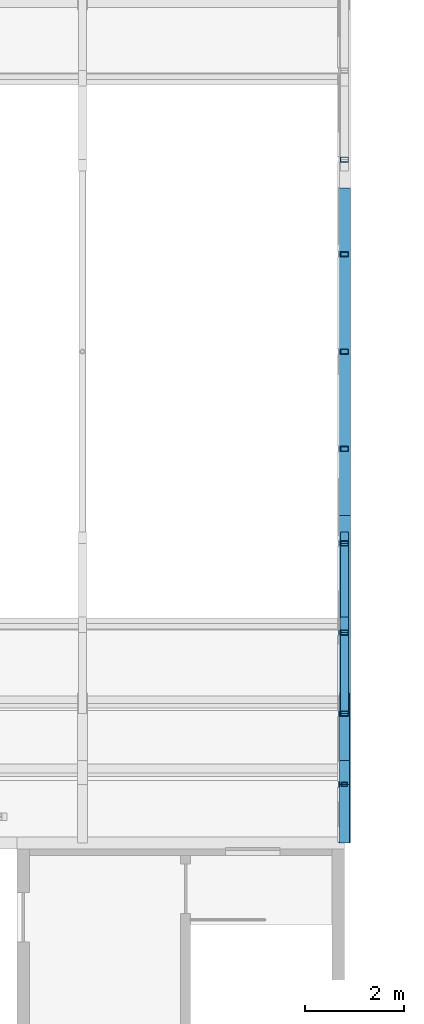
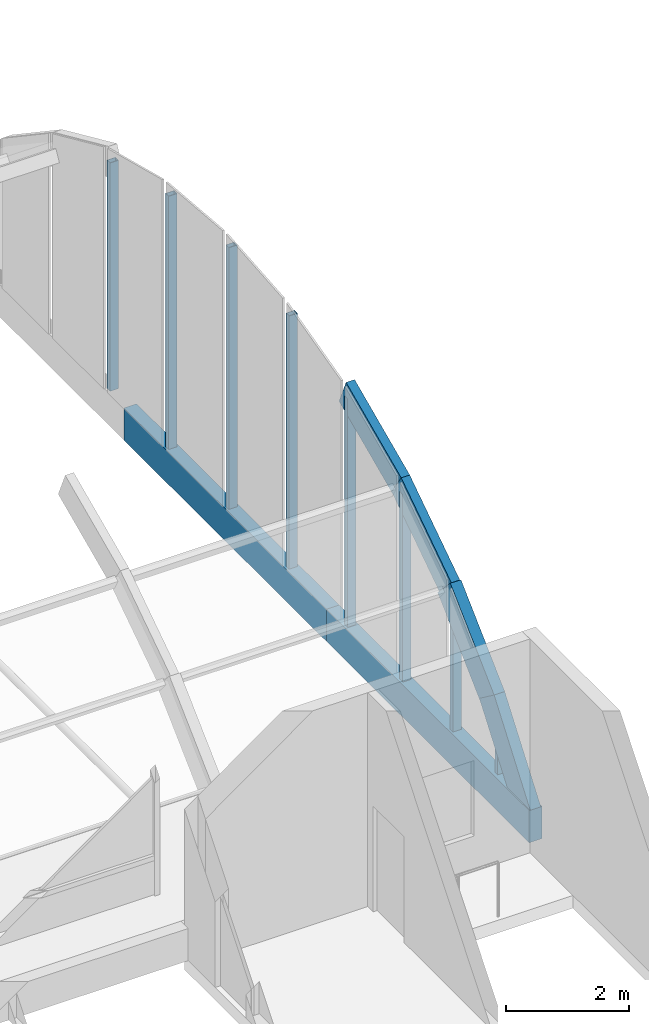
# One storey, part 29 of 102: 12 members, 2 beams.
"""IFC4 building model written with IfcOpenShell, lengths in metres."""

from ifc_helpers import new_model, si_unit, direction, frame, origin, origin_2d, place, context, subcontext, project, spatial, rectangle, hollow_rectangle, extrude, material, material_profile, profile_set, type_object, element, save


model = new_model("IFC4")

# Units and contexts
model_context = context("Model", 3, precision=1e-05, world=origin(), true_north=direction((0.0, 1.0)))
body_context = subcontext(model_context, "Body", "Model", "MODEL_VIEW")
ifc_project = project(units=[si_unit("LENGTHUNIT", "METRE"), si_unit("AREAUNIT", "SQUARE_METRE"), si_unit("VOLUMEUNIT", "CUBIC_METRE"), si_unit("PLANEANGLEUNIT", "RADIAN"), si_unit("MASSUNIT", "GRAM", prefix="KILO")], contexts=[model_context])

# Site, building, storey
site_placement = place(None, origin())
site = spatial("IfcSite", under=ifc_project, at=site_placement, CompositionType="ELEMENT")
building_placement = place(site_placement, origin())
building = spatial("IfcBuilding", under=site, at=building_placement, Name="Lantern Court Research Institute", CompositionType="ELEMENT")
storey_placement = place(building_placement, frame((0.0, 0.0, 9.89990234375)))
storey = spatial("IfcBuildingStorey", under=building, at=storey_placement, Name="L02", CompositionType="ELEMENT", Elevation=9.89990234375)

# Members
ifc_material_1 = material(Name="Structural steel S355", Category="steel")
ifc_material_profile_1 = material_profile(ifc_material_1, hollow_rectangle(XDim=0.1201171875, YDim=0.080078125, WallThickness=0.0048828125, at=origin_2d()), Name="Gable post RHS 120 x 80 x 5")
ifc_profile_set_1 = profile_set([ifc_material_profile_1], Name="Structural steel S355")
member_type_1 = type_object("IfcMemberType", Name="Gable post RHS 120 x 80 x 5", PredefinedType="POST", material=ifc_profile_set_1)
member_1_placement = place(storey_placement, frame((79.199951171875, 57.27734375, 0.64013671875), z_axis=(0.0, 0.0, 1.0), x_axis=(1.0, 0.0, 0.0)))
element("IfcMember", 1, at=member_1_placement, inside=storey, type_object=member_type_1, Name="Gable post", PredefinedType="POST", context=body_context, shape_type="SweptSolid", body=[
    extrude(hollow_rectangle(XDim=0.1201171875, YDim=0.080078125, WallThickness=0.0048828125, at=origin_2d()), origin(), (0.0, 0.0, 1.0), 1.277587890625),
])
ifc_material_2 = material(Name="Structural steel S355", Category="steel")
ifc_material_profile_2 = material_profile(ifc_material_2, hollow_rectangle(XDim=0.159912109375, YDim=0.10009765625, WallThickness=0.00634765625, at=origin_2d()), Name="Gable post RHS 160 x 100 x 6.3")
ifc_profile_set_2 = profile_set([ifc_material_profile_2], Name="Structural steel S355")
member_type_2 = type_object("IfcMemberType", Name="Gable post RHS 160 x 100 x 6.3", PredefinedType="POST", material=ifc_profile_set_2)
member_2_placement = place(storey_placement, frame((79.199951171875, 58.703369140625, 0.64013671875), z_axis=(0.0, 0.0, 1.0), x_axis=(1.0, 0.0, 0.0)))
element("IfcMember", 2, at=member_2_placement, inside=storey, type_object=member_type_2, Name="Gable post", PredefinedType="POST", context=body_context, shape_type="SweptSolid", body=[
    extrude(hollow_rectangle(XDim=0.159912109375, YDim=0.10009765625, WallThickness=0.00634765625, at=origin_2d()), origin(), (0.0, 0.0, 1.0), 2.634765625),
])
member_3_placement = place(storey_placement, frame((79.199951171875, 60.33740234375, 0.64013671875), z_axis=(0.0, 0.0, 1.0), x_axis=(1.0, 0.0, 0.0)))
element("IfcMember", 3, at=member_3_placement, inside=storey, type_object=member_type_2, Name="Gable post", PredefinedType="POST", context=body_context, shape_type="SweptSolid", body=[
    extrude(hollow_rectangle(XDim=0.159912109375, YDim=0.10009765625, WallThickness=0.00634765625, at=origin_2d()), origin(), (0.0, 0.0, 1.0), 3.732666015625),
])
member_4_placement = place(storey_placement, frame((79.199951171875, 62.1328125, 0.64013671875), z_axis=(0.0, 0.0, 1.0), x_axis=(1.0, 0.0, 0.0)))
element("IfcMember", 4, at=member_4_placement, inside=storey, type_object=member_type_2, Name="Gable post", PredefinedType="POST", context=body_context, shape_type="SweptSolid", body=[
    extrude(hollow_rectangle(XDim=0.159912109375, YDim=0.10009765625, WallThickness=0.00634765625, at=origin_2d()), origin(), (0.0, 0.0, 1.0), 4.5400390625),
])
member_5_placement = place(storey_placement, frame((79.199951171875, 64.038330078125, 0.64013671875), z_axis=(0.0, 0.0, 1.0), x_axis=(1.0, 0.0, 0.0)))
element("IfcMember", 5, at=member_5_placement, inside=storey, type_object=member_type_2, Name="Gable post", PredefinedType="POST", context=body_context, shape_type="SweptSolid", body=[
    extrude(hollow_rectangle(XDim=0.159912109375, YDim=0.10009765625, WallThickness=0.00634765625, at=origin_2d()), origin(), (0.0, 0.0, 1.0), 5.03369140625),
])
member_6_placement = place(storey_placement, frame((79.199951171875, 66.0, 0.64013671875), z_axis=(0.0, 0.0, 1.0), x_axis=(1.0, 0.0, 0.0)))
element("IfcMember", 6, at=member_6_placement, inside=storey, type_object=member_type_2, Name="Gable post", PredefinedType="POST", context=body_context, shape_type="SweptSolid", body=[
    extrude(hollow_rectangle(XDim=0.159912109375, YDim=0.10009765625, WallThickness=0.00634765625, at=origin_2d()), origin(), (0.0, 0.0, 1.0), 5.199951171875),
])
member_7_placement = place(storey_placement, frame((79.199951171875, 67.961669921875, 0.64013671875), z_axis=(0.0, 0.0, 1.0), x_axis=(1.0, 0.0, 0.0)))
element("IfcMember", 7, at=member_7_placement, inside=storey, type_object=member_type_2, Name="Gable post", PredefinedType="POST", context=body_context, shape_type="SweptSolid", body=[
    extrude(hollow_rectangle(XDim=0.159912109375, YDim=0.10009765625, WallThickness=0.00634765625, at=origin_2d()), origin(), (0.0, 0.0, 1.0), 5.03369140625),
])
member_8_placement = place(storey_placement, frame((79.199951171875, 69.8671875, 0.64013671875), z_axis=(0.0, 0.0, 1.0), x_axis=(1.0, 0.0, 0.0)))
element("IfcMember", 8, at=member_8_placement, inside=storey, type_object=member_type_2, Name="Gable post", PredefinedType="POST", context=body_context, shape_type="SweptSolid", body=[
    extrude(hollow_rectangle(XDim=0.159912109375, YDim=0.10009765625, WallThickness=0.00634765625, at=origin_2d()), origin(), (0.0, 0.0, 1.0), 4.5400390625),
])
ifc_material_3 = material(Name="Glued laminated timber GL28h", Category="wood")
ifc_material_profile_3 = material_profile(ifc_material_3, rectangle(XDim=0.159912109375, YDim=0.56005859375, at=origin_2d()), Name="Glulam haunch rib 160 x 560")
ifc_profile_set_3 = profile_set([ifc_material_profile_3], Name="Glued laminated timber GL28h")
member_type_3 = type_object("IfcMemberType", Name="Glulam haunch rib 160 x 560", PredefinedType="RAFTER", material=ifc_profile_set_3)
for number, where, z_axis, x_axis, name in (
    (9, (79.199951171875, 58.859619140625, 3.342529296875), (0.0, 0.830041526637, 0.557701590511), (-1.0, 0.0, 0.0), "Glulam rib"),
    (10, (79.199951171875, 60.4521484375, 4.41748046875), (0.0, 0.91202821745, 0.410127456501), (-1.0, 0.0, 0.0), "Glulam rib"),
):
    element("IfcMember", number, at=place(storey_placement, frame(where, z_axis=z_axis, x_axis=x_axis)), inside=storey, type_object=member_type_3, Name=name, PredefinedType="RAFTER", context=body_context, shape_type="SweptSolid", body=[
        extrude(rectangle(XDim=0.159912109375, YDim=0.56005859375, at=origin_2d()), origin(), (0.0, 0.0, 1.0), 1.968505859375),
    ])

# Beams
ifc_material_4 = material(Name="Glued laminated timber GL28h", Category="wood")
ifc_material_profile_4 = material_profile(ifc_material_4, rectangle(XDim=0.239990234375, YDim=0.639892578125, at=origin_2d()), Name="Glulam ring beam 240 x 640")
ifc_profile_set_4 = profile_set([ifc_material_profile_4], Name="Glued laminated timber GL28h")
beam_type = type_object("IfcBeamType", Name="Glulam ring beam 240 x 640", PredefinedType="BEAM", material=ifc_profile_set_4)
beam_1_placement = place(storey_placement, frame((79.199951171875, 56.10009765625, 0.320068359375), z_axis=(0.0, 1.0, 0.0), x_axis=(-1.0, 0.0, 0.0)))
element("IfcBeam", 11, at=beam_1_placement, inside=storey, type_object=beam_type, Name="Glulam ring beam E", PredefinedType="BEAM", context=body_context, shape_type="SweptSolid", body=[
    extrude(rectangle(XDim=0.239990234375, YDim=0.639892578125, at=origin_2d()), origin(), (0.0, 0.0, 1.0), 6.599853515625),
])
beam_2_placement = place(storey_placement, frame((79.199951171875, 62.699951171875, 0.320068359375), z_axis=(0.0, 1.0, 0.0), x_axis=(-1.0, 0.0, 0.0)))
element("IfcBeam", 12, at=beam_2_placement, inside=storey, type_object=beam_type, Name="Glulam ring beam E", PredefinedType="BEAM", context=body_context, shape_type="SweptSolid", body=[
    extrude(rectangle(XDim=0.239990234375, YDim=0.639892578125, at=origin_2d()), origin(), (0.0, 0.0, 1.0), 6.60009765625),
])

# Members
ifc_material_5 = material(Name="Glued laminated timber GL28h", Category="wood")
ifc_material_profile_5 = material_profile(ifc_material_5, rectangle(XDim=0.199951171875, YDim=0.60009765625, at=origin_2d()), Name="Glulam springing rib 200 x 600")
ifc_profile_set_5 = profile_set([ifc_material_profile_5], Name="Glued laminated timber GL28h")
member_type_4 = type_object("IfcMemberType", Name="Glulam springing rib 200 x 600", PredefinedType="RAFTER", material=ifc_profile_set_5)
for number, where, z_axis, x_axis, name in (
    (13, (79.199951171875, 56.34033203125, 0.460693359375), (0.0, 0.598133156131, 0.801396735417), (-1.0, 0.0, 0.0), "Glulam rib"),
    (14, (79.199951171875, 57.484130859375, 2.00048828125), (0.0, 0.72437677669, 0.689404297486), (-1.0, 0.0, 0.0), "Glulam rib"),
):
    element("IfcMember", number, at=place(storey_placement, frame(where, z_axis=z_axis, x_axis=x_axis)), inside=storey, type_object=member_type_4, Name=name, PredefinedType="RAFTER", context=body_context, shape_type="SweptSolid", body=[
        extrude(rectangle(XDim=0.199951171875, YDim=0.60009765625, at=origin_2d()), origin(), (0.0, 0.0, 1.0), 1.968505859375),
    ])

save(model, "model.ifc")
